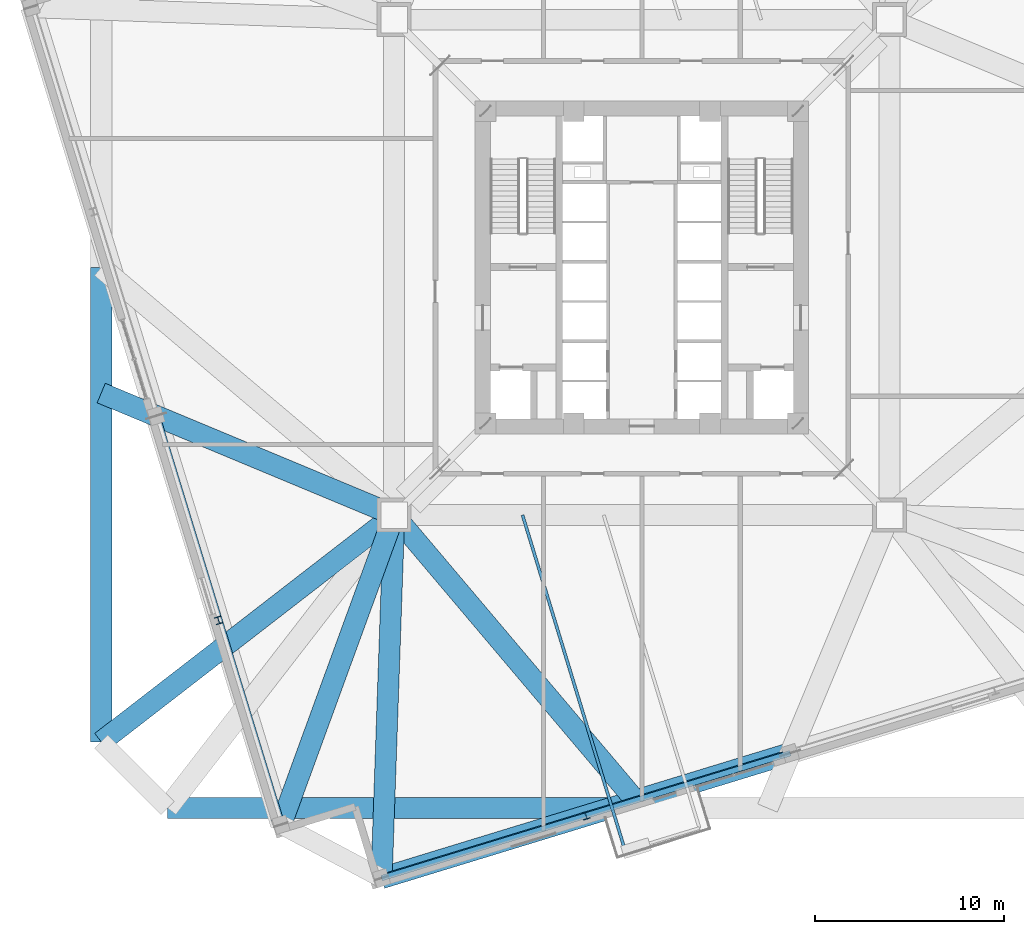
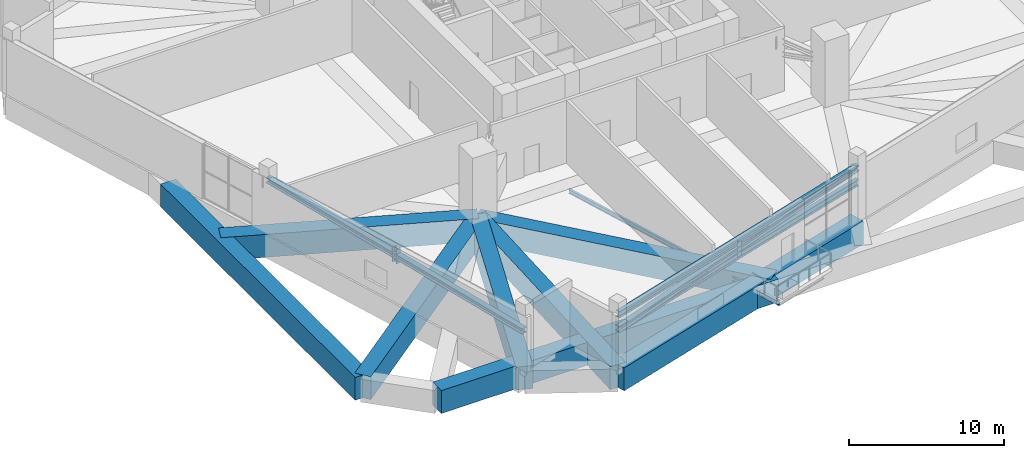
# One storey, part 2 of 22: 9 beams, 6 members.
"""IFC4 building model written with IfcOpenShell, lengths in metres."""

from ifc_helpers import new_model, si_unit, direction, frame, origin, origin_2d, place, context, subcontext, project, spatial, rectangle, i_section, extrude, source, transform, mapped, material, material_profile, profile_set, type_object, element, save


model = new_model("IFC4")

# Units and contexts
model_context = context("Model", 3, precision=1e-05, world=origin(), true_north=direction((0.0, 1.0)))
body_context = subcontext(model_context, "Body", "Model", "MODEL_VIEW")
ifc_project = project(units=[si_unit("LENGTHUNIT", "METRE"), si_unit("AREAUNIT", "SQUARE_METRE"), si_unit("VOLUMEUNIT", "CUBIC_METRE"), si_unit("PLANEANGLEUNIT", "RADIAN"), si_unit("MASSUNIT", "GRAM", prefix="KILO"), si_unit("THERMODYNAMICTEMPERATUREUNIT", "KELVIN")], contexts=[model_context])

# Site, building, storey
site_placement = place(None, origin())
site = spatial("IfcSite", under=ifc_project, at=site_placement, CompositionType="ELEMENT")
building_placement = place(site_placement, origin())
building = spatial("IfcBuilding", under=site, at=building_placement, Name="Kosmvard Interchange Tower", CompositionType="ELEMENT")
storey_placement = place(building_placement, frame((0.0, 0.0, 78.0)))
storey = spatial("IfcBuildingStorey", under=building, at=storey_placement, Name="L18", CompositionType="ELEMENT", Elevation=78.0)

# Beams
ifc_material_1 = material(Name="Concrete C60/75", Category="concrete")
ifc_material_profile_1 = material_profile(ifc_material_1, rectangle(XDim=1.1201171875, YDim=1.800048828125, at=origin_2d()), Name="TG 1120x1800")
ifc_profile_set_1 = profile_set([ifc_material_profile_1], Name="Concrete C60/75")
beam_type_1 = type_object("IfcBeamType", Name="Zone Long-Span Transfer Girder 1120x1800 C60/75", PredefinedType="USERDEFINED", material=ifc_profile_set_1)
shared_shape_1 = source(origin(), body_context, "Body", "SweptSolid", [
    extrude(rectangle(XDim=1.1201171875, YDim=1.800048828125, at=origin_2d()), origin(), (0.0, 0.0, 1.0), 25.050048828125),
])
for number, where, z_axis, x_axis, name in (
    (1, (-25.050048828125, -28.550048828125, -0.89990234375), (1.0, 0.0, 0.0), (0.0, 1.0, 0.0), "BM-L18-LR01"),
    (2, (-28.550048828125, 0.0, -0.89990234375), (0.0, -1.0, 0.0), (1.0, 0.0, 0.0), "BM-L18-LR11"),
):
    element("IfcBeam", number, at=place(storey_placement, frame(where, z_axis=z_axis, x_axis=x_axis)), inside=storey, type_object=beam_type_1, Name=name, ObjectType="TRANSFER_GIRDER", PredefinedType="USERDEFINED", context=body_context, shape_type="MappedRepresentation", body=[
        mapped(shared_shape_1, transform((0.0, 0.0, 0.0), scale=1.0)),
    ])
shared_shape_2 = source(origin(), body_context, "Body", "SweptSolid", [
    extrude(rectangle(XDim=1.1201171875, YDim=1.800048828125, at=origin_2d()), origin(), (0.0, 0.0, 1.0), 19.558837890625),
])
beam_1_placement = place(storey_placement, frame((-13.0810546875, -13.0810546875, -0.89990234375), z_axis=(-0.79089695138, -0.611949354357, 0.0), x_axis=(0.611949354357, -0.79089695138, 0.0)))
element("IfcBeam", 3, at=beam_1_placement, inside=storey, type_object=beam_type_1, Name="BM-L18-LD12", ObjectType="TRANSFER_GIRDER", PredefinedType="USERDEFINED", context=body_context, shape_type="MappedRepresentation", body=[
    mapped(shared_shape_2, transform((0.0, 0.0, 0.0), scale=1.0)),
])
shared_shape_3 = source(origin(), body_context, "Body", "SweptSolid", [
    extrude(rectangle(XDim=1.1201171875, YDim=1.800048828125, at=origin_2d()), origin(), (0.0, 0.0, 1.0), 20.258544921875),
])
beam_2_placement = place(storey_placement, frame((-13.0810546875, -13.0810546875, -0.89990234375), z_axis=(0.645709371734, -0.763583268056, 0.0), x_axis=(0.763583268056, 0.645709371734, 0.0)))
element("IfcBeam", 4, at=beam_2_placement, inside=storey, type_object=beam_type_1, Name="BM-L18-LD02", ObjectType="TRANSFER_GIRDER", PredefinedType="USERDEFINED", context=body_context, shape_type="MappedRepresentation", body=[
    mapped(shared_shape_3, transform((0.0, 0.0, 0.0), scale=1.0)),
])
shared_shape_4 = source(origin(), body_context, "Body", "SweptSolid", [
    extrude(rectangle(XDim=1.1201171875, YDim=1.800048828125, at=origin_2d()), origin(), (0.0, 0.0, 1.0), 19.18359375),
])
beam_3_placement = place(storey_placement, frame((-13.0810546875, -13.0810546875, -0.89990234375), z_axis=(-0.034641549738, -0.999399801397, 0.0), x_axis=(0.999399801397, -0.034641549738, 0.0)))
element("IfcBeam", 5, at=beam_3_placement, inside=storey, type_object=beam_type_1, Name="BM-L18-RD01", ObjectType="TRANSFER_GIRDER", PredefinedType="USERDEFINED", context=body_context, shape_type="MappedRepresentation", body=[
    mapped(shared_shape_4, transform((0.0, 0.0, 0.0), scale=1.0)),
])
shared_shape_5 = source(origin(), body_context, "Body", "SweptSolid", [
    extrude(rectangle(XDim=1.1201171875, YDim=1.800048828125, at=origin_2d()), origin(), (0.0, 0.0, 1.0), 22.57470703125),
])
beam_4_placement = place(storey_placement, frame((-13.74560546875, -32.253173828125, -0.89990234375), z_axis=(0.956303368768, 0.292376241995, 0.0), x_axis=(-0.292376241995, 0.956303368768, 0.0)))
element("IfcBeam", 6, at=beam_4_placement, inside=storey, type_object=beam_type_1, Name="BM-L18-PR01", ObjectType="TRANSFER_GIRDER", PredefinedType="USERDEFINED", context=body_context, shape_type="MappedRepresentation", body=[
    mapped(shared_shape_5, transform((0.0, 0.0, 0.0), scale=1.0)),
])
shared_shape_6 = source(origin(), body_context, "Body", "SweptSolid", [
    extrude(rectangle(XDim=1.1201171875, YDim=1.800048828125, at=origin_2d()), origin(), (0.0, 0.0, 1.0), 16.758056640625),
])
beam_5_placement = place(storey_placement, frame((-13.0810546875, -13.0810546875, -0.89990234375), z_axis=(-0.923079078176, 0.384610212336, 0.0), x_axis=(-0.384610212336, -0.923079078176, 0.0)))
element("IfcBeam", 7, at=beam_5_placement, inside=storey, type_object=beam_type_1, Name="BM-L18-RD11", ObjectType="TRANSFER_GIRDER", PredefinedType="USERDEFINED", context=body_context, shape_type="MappedRepresentation", body=[
    mapped(shared_shape_6, transform((0.0, 0.0, 0.0), scale=1.0)),
])
shared_shape_7 = source(origin(), body_context, "Body", "SweptSolid", [
    extrude(rectangle(XDim=1.1201171875, YDim=1.800048828125, at=origin_2d()), origin(), (0.0, 0.0, 1.0), 17.40673828125),
])
beam_6_placement = place(storey_placement, frame((-13.0810546875, -13.0810546875, -0.89990234375), z_axis=(-0.343054696491, -0.939315429031, 0.0), x_axis=(0.939315429031, -0.343054696491, 0.0)))
element("IfcBeam", 8, at=beam_6_placement, inside=storey, type_object=beam_type_1, Name="BM-L18-RD12", ObjectType="TRANSFER_GIRDER", PredefinedType="USERDEFINED", context=body_context, shape_type="MappedRepresentation", body=[
    mapped(shared_shape_7, transform((0.0, 0.0, 0.0), scale=1.0)),
])
ifc_material_2 = material(Name="Steel S355", Category="steel")
ifc_material_profile_2 = material_profile(ifc_material_2, i_section(OverallWidth=0.159912109375, OverallDepth=0.330078125, WebThickness=0.007568359375, FlangeThickness=0.011474609375, FilletRadius=0.01806640625, at=origin_2d()), Name="IPE 330")
ifc_profile_set_2 = profile_set([ifc_material_profile_2], Name="Steel S355")
beam_type_2 = type_object("IfcBeamType", Name="Balcony Cantilever Joist IPE 330 S355", PredefinedType="JOIST", material=ifc_profile_set_2)
shared_shape_8 = source(origin(), body_context, "Body", "SweptSolid", [
    extrude(i_section(OverallWidth=0.159912109375, OverallDepth=0.330078125, WebThickness=0.007568359375, FlangeThickness=0.011474609375, FilletRadius=0.01806640625, at=origin_2d()), origin(), (0.0, 0.0, 1.0), 18.53271484375),
])
beam_7_placement = place(storey_placement, frame((-6.30078125, -13.0810546875, -0.56494140625), z_axis=(0.292372820806, -0.956304414741, 0.0), x_axis=(0.956304414741, 0.292372820806, 0.0)))
element("IfcBeam", 9, at=beam_7_placement, inside=storey, type_object=beam_type_2, Name="BM-L18-BJ2", PredefinedType="JOIST", context=body_context, shape_type="MappedRepresentation", body=[
    mapped(shared_shape_8, transform((0.0, 0.0, 0.0), scale=1.0)),
])

# Members
ifc_material_3 = material(Name="Steel S460", Category="steel")
ifc_material_profile_3 = material_profile(ifc_material_3, i_section(OverallWidth=0.300048828125, OverallDepth=0.5, WebThickness=0.014404296875, FlangeThickness=0.028076171875, FilletRadius=0.027099609375, at=origin_2d()), Name="HEB 500")
ifc_profile_set_3 = profile_set([ifc_material_profile_3], Name="Steel S460")
member_type_1 = type_object("IfcMemberType", Name="Belt Truss Chord HEB 500 S460", PredefinedType="CHORD", material=ifc_profile_set_3)
shared_shape_9 = source(origin(), body_context, "Body", "SweptSolid", [
    extrude(i_section(OverallWidth=0.300048828125, OverallDepth=0.5, WebThickness=0.014404296875, FlangeThickness=0.028076171875, FilletRadius=0.027099609375, at=origin_2d()), origin(), (0.0, 0.0, 1.0), 22.57470703125),
])
for number, where, z_axis, x_axis, name in (
    (10, (-13.74560546875, -32.253173828125, 2.820068359375), (0.956303368768, 0.292376241995, 0.0), (-0.292376241995, 0.956303368768, 0.0), "L18 Belt Truss Bottom Chord S1"),
    (11, (-13.74560546875, -32.253173828125, 3.9599609375), (0.956303368768, 0.292376241995, 0.0), (-0.292376241995, 0.956303368768, 0.0), "L18 Belt Truss Top Chord S1"),
):
    element("IfcMember", number, at=place(storey_placement, frame(where, z_axis=z_axis, x_axis=x_axis)), inside=storey, type_object=member_type_1, Name=name, PredefinedType="CHORD", context=body_context, shape_type="MappedRepresentation", body=[
        mapped(shared_shape_9, transform((0.0, 0.0, 0.0), scale=1.0)),
    ])
ifc_material_profile_4 = material_profile(ifc_material_3, i_section(OverallWidth=0.3759765625, OverallDepth=0.386962890625, WebThickness=0.01953125, FlangeThickness=0.031982421875, FilletRadius=0.014892578125, at=origin_2d()), Name="HD 360x329")
ifc_profile_set_4 = profile_set([ifc_material_profile_4], Name="Steel S460")
member_type_2 = type_object("IfcMemberType", Name="Belt Truss Vertical Post HD 360x329 S460", PredefinedType="STUD", material=ifc_profile_set_4)
shared_shape_10 = source(origin(), body_context, "Body", "SweptSolid", [
    extrude(i_section(OverallWidth=0.3759765625, OverallDepth=0.386962890625, WebThickness=0.01953125, FlangeThickness=0.031982421875, FilletRadius=0.014892578125, at=origin_2d()), origin(), (0.0, 0.0, 1.0), 1.139892578125),
])
for number, where, z_axis, x_axis, name in (
    (12, (-2.951416015625, -28.953125, 2.820068359375), (0.0, 0.0, 1.0), (0.956304755963, 0.292371704723, 0.0), "L18 Belt Truss Post S1"),
    (13, (-22.352783203125, -18.63720703125, 2.820068359375), (0.0, 0.0, 1.0), (0.956304755963, 0.292371704723, 0.0), "L18 Belt Truss Post W2"),
):
    element("IfcMember", number, at=place(storey_placement, frame(where, z_axis=z_axis, x_axis=x_axis)), inside=storey, type_object=member_type_2, Name=name, PredefinedType="STUD", context=body_context, shape_type="MappedRepresentation", body=[
        mapped(shared_shape_10, transform((0.0, 0.0, 0.0), scale=1.0)),
    ])
ifc_material_profile_5 = material_profile(ifc_material_3, i_section(OverallWidth=0.406005859375, OverallDepth=0.416015625, WebThickness=0.021484375, FlangeThickness=0.034912109375, FilletRadius=0.014892578125, at=origin_2d()), Name="HD 400x382")
ifc_profile_set_5 = profile_set([ifc_material_profile_5], Name="Steel S460")
member_type_3 = type_object("IfcMemberType", Name="Perimeter Belt Truss Diagonal HD 400x382 S460", PredefinedType="BRACE", material=ifc_profile_set_5)
shared_shape_11 = source(origin(), body_context, "Body", "SweptSolid", [
    extrude(i_section(OverallWidth=0.406005859375, OverallDepth=0.416015625, WebThickness=0.021484375, FlangeThickness=0.034912109375, FilletRadius=0.014892578125, at=origin_2d()), origin(), (0.0, 0.0, 1.0), 22.603515625),
])
member_1_placement = place(storey_placement, frame((-13.74560546875, -32.253173828125, 2.820068359375), z_axis=(0.955086579567, 0.29200422589, 0.050429729265), x_axis=(-0.292376241995, 0.956303368768, 0.0)))
element("IfcMember", 14, at=member_1_placement, inside=storey, type_object=member_type_3, Name="L18 Belt Truss Diagonal S1", PredefinedType="BRACE", context=body_context, shape_type="MappedRepresentation", body=[
    mapped(shared_shape_11, transform((0.0, 0.0, 0.0), scale=1.0)),
])
shared_shape_12 = source(origin(), body_context, "Body", "SweptSolid", [
    extrude(i_section(OverallWidth=0.406005859375, OverallDepth=0.416015625, WebThickness=0.021484375, FlangeThickness=0.034912109375, FilletRadius=0.014892578125, at=origin_2d()), origin(), (0.0, 0.0, 1.0), 22.603759765625),
])
member_2_placement = place(storey_placement, frame((-19.052490234375, -29.431396484375, 2.820068359375), z_axis=(-0.292001213645, 0.955087527981, 0.050429209044), x_axis=(-0.956304293239, -0.292373218222, 0.0)))
element("IfcMember", 15, at=member_2_placement, inside=storey, type_object=member_type_3, Name="L18 Belt Truss Diagonal W2", PredefinedType="BRACE", context=body_context, shape_type="MappedRepresentation", body=[
    mapped(shared_shape_12, transform((0.0, 0.0, 0.0), scale=1.0)),
])

save(model, "model.ifc")
